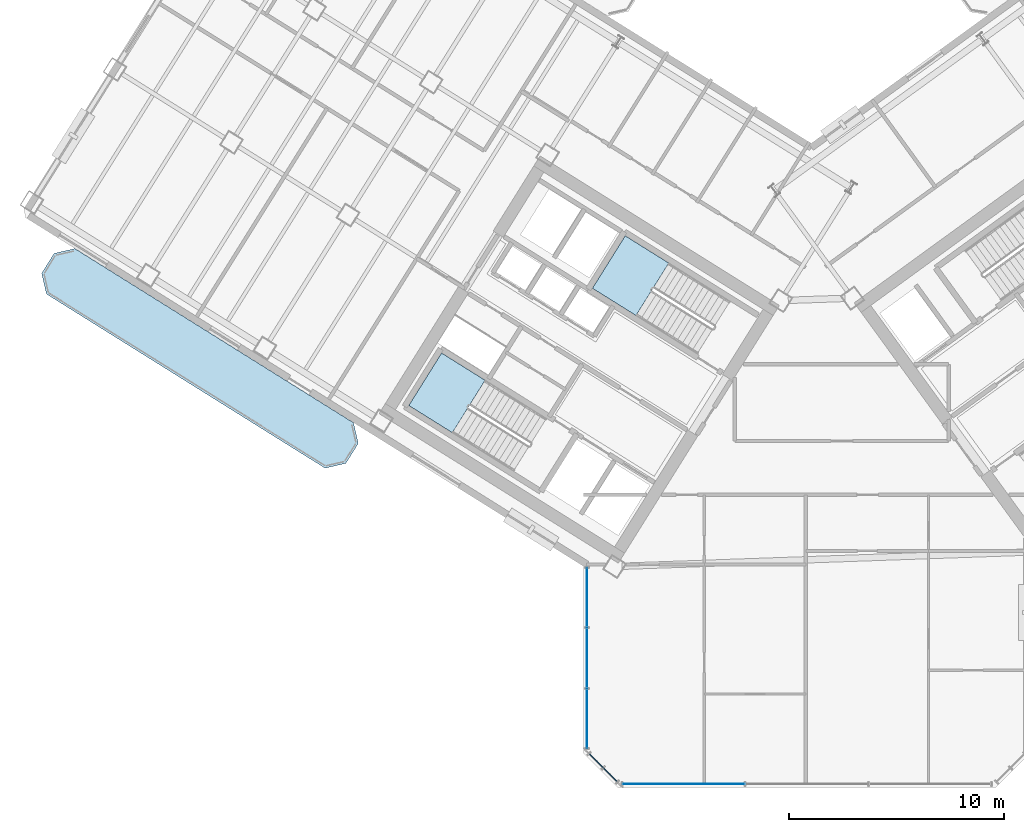
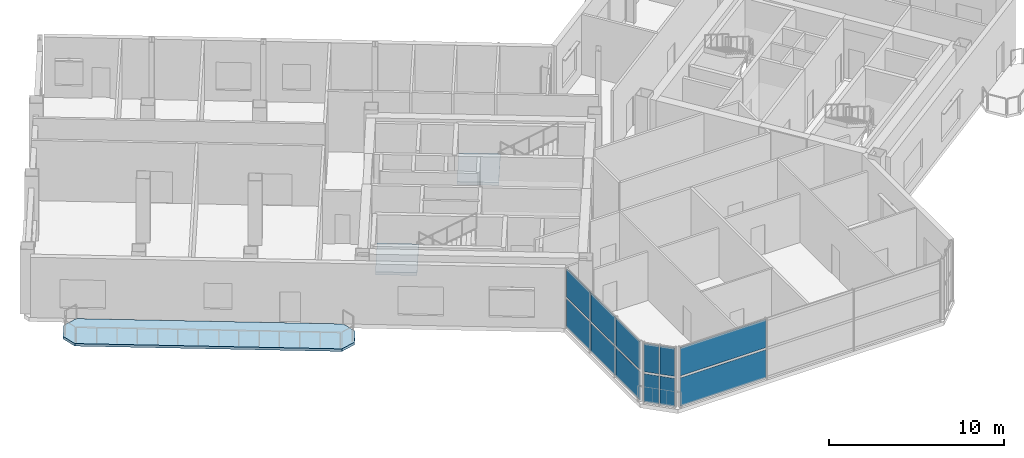
# One storey, part 8 of 20: 12 plates, 3 slabs, 5 elements without a shape of their own.
"""IFC4 building model written with IfcOpenShell, lengths in metres."""

from ifc_helpers import new_model, si_unit, direction, frame, origin, origin_2d, place, context, subcontext, project, spatial, polyline, rectangle, outline, extrude, source, transform, mapped, material, layer, layer_set, type_object, element, aggregate, save


model = new_model("IFC4")

# Units and contexts
model_context = context("Model", 3, precision=1e-05, world=origin(), true_north=direction((0.0, 1.0)))
body_context = subcontext(model_context, "Body", "Model", "MODEL_VIEW")
ifc_project = project(units=[si_unit("LENGTHUNIT", "METRE"), si_unit("AREAUNIT", "SQUARE_METRE"), si_unit("VOLUMEUNIT", "CUBIC_METRE"), si_unit("PLANEANGLEUNIT", "RADIAN"), si_unit("MASSUNIT", "GRAM", prefix="KILO")], contexts=[model_context])

# Site, building, storey
site_placement = place(None, origin())
site = spatial("IfcSite", under=ifc_project, at=site_placement, CompositionType="ELEMENT")
building_placement = place(site_placement, origin())
building = spatial("IfcBuilding", under=site, at=building_placement, Name="Tlacorven Tower", CompositionType="ELEMENT")
storey_placement = place(building_placement, frame((0.0, 0.0, 195.0)))
storey = spatial("IfcBuildingStorey", under=building, at=storey_placement, Name="L49", CompositionType="ELEMENT", Elevation=195.0)

# Slab
ifc_material_1 = material(Name="Precast concrete C45/55", Category="concrete")
ifc_layer_1 = layer(ifc_material_1, 0.179931640625)
ifc_layer_set_1 = layer_set([ifc_layer_1], Name="Precast concrete C45/55")
slab_type_1 = type_object("IfcSlabType", Name="SL-BAL-180", PredefinedType="USERDEFINED", material=ifc_layer_set_1)
slab_1_placement = place(storey_placement, frame((0.0, 0.0, -0.179931640625)))
element("IfcSlab", 1, at=slab_1_placement, inside=storey, type_object=slab_type_1, Name="L49 West Wing Balcony Ribbon OUT", ObjectType="BALCONY SLAB", PredefinedType="USERDEFINED", context=body_context, shape_type="SweptSolid", body=[
    extrude(outline(polyline([(20.88671875, 18.78271484375), (7.91162109375, 26.890625), (6.947021484375, 26.66796875), (6.366943359375, 25.7392578125), (6.589599609375, 24.774658203125), (19.564697265625, 16.6669921875), (20.529296875, 16.8896484375), (21.109375, 17.818115234375), (20.88671875, 18.78271484375)])), origin(), (0.0, 0.0, 1.0), 0.179931640625),
])

# Stair, slab
ifc_material_2 = material(Name="Concrete C40/50", Category="concrete")
stair_type = type_object("IfcStairType", Name="ST-CORE-DLG", PredefinedType="HALF_TURN_STAIR", material=ifc_material_2)
stair_1_placement = place(storey_placement, origin())
stair_1 = element("IfcStair", 2, at=stair_1_placement, inside=storey, type_object=stair_type, Name="L49 Protected Exit Stair West 1", PredefinedType="HALF_TURN_STAIR")
ifc_layer_2 = layer(ifc_material_2, 0.199951171875)
ifc_layer_set_2 = layer_set([ifc_layer_2], Name="Concrete C40/50")
slab_type_2 = type_object("IfcSlabType", Name="SL-LND-200", PredefinedType="LANDING", material=ifc_layer_set_2)
slab_2_placement = place(storey_placement, frame((0.0, 0.0, 2.050048828125)))
slab_2 = element("IfcSlab", 3, at=slab_2_placement, type_object=slab_type_2, Name="ST-W1 landing 1", PredefinedType="LANDING", context=body_context, shape_type="SweptSolid", body=[
    extrude(outline(polyline([(27.01611328125, 20.76025390625), (24.9892578125, 22.02685546875), (23.463134765625, 19.58447265625), (25.489990234375, 18.31787109375), (27.01611328125, 20.76025390625)])), origin(), (0.0, 0.0, 1.0), 0.199951171875),
])
aggregate(stair_1, [slab_2])

stair_2_placement = place(storey_placement, origin())
stair_2 = element("IfcStair", 4, at=stair_2_placement, inside=storey, type_object=stair_type, Name="L49 Protected Exit Stair West 2", PredefinedType="HALF_TURN_STAIR")
slab_3_placement = place(storey_placement, frame((0.0, 0.0, 2.050048828125)))
slab_3 = element("IfcSlab", 5, at=slab_3_placement, type_object=slab_type_2, Name="ST-W2 landing 1", PredefinedType="LANDING", context=body_context, shape_type="SweptSolid", body=[
    extrude(outline(polyline([(35.567626953125, 26.218017578125), (33.540771484375, 27.484375), (32.0146484375, 25.0419921875), (34.04150390625, 23.775634765625), (35.567626953125, 26.218017578125)])), origin(), (0.0, 0.0, 1.0), 0.199951171875),
])
aggregate(stair_2, [slab_3])

# Curtain wall, plates
ifc_material_3 = material(Name="Dark solar low-E double glazing in aluminium frame", Category="aluminium")
curtain_wall_type = type_object("IfcCurtainWallType", Name="CW-COM-AMENITY", PredefinedType="USERDEFINED", material=ifc_material_3)
curtain_wall_1_placement = place(storey_placement, origin())
curtain_wall_1 = element("IfcCurtainWall", 6, at=curtain_wall_1_placement, inside=storey, type_object=curtain_wall_type, Name="L49 CW-COM-AMENITY Curtain Wall 226", ObjectType="UNITISED CURTAIN WALL", PredefinedType="USERDEFINED")
ifc_material_4 = material(Name="Dark solar acoustic laminated low-E glazing", Category="glass")
ifc_layer_3 = layer(ifc_material_4, 0.035888671875)
ifc_layer_set_3 = layer_set([ifc_layer_3], Name="Dark solar acoustic laminated low-E glazing")
plate_type = type_object("IfcPlateType", Name="CWP-01", PredefinedType="CURTAIN_PANEL", material=ifc_layer_set_3)
shared_shape_1 = source(origin(), body_context, "Body", "SweptSolid", [
    extrude(rectangle(XDim=0.878173828125, YDim=0.035888671875, at=origin_2d()), origin(), (0.0, 0.0, 1.0), 1.968017578125),
])
plate_1_placement = place(storey_placement, frame((32.842041015625, 2.38427734375, 0.07080078125), z_axis=(0.0, 0.0, 1.0), x_axis=(-0.707106781187, 0.707106781187, 0.0)))
plate_1 = element("IfcPlate", 7, at=plate_1_placement, type_object=plate_type, Name="CW-L49-226 Glazing Panel 1", PredefinedType="CURTAIN_PANEL", context=body_context, shape_type="MappedRepresentation", body=[
    mapped(shared_shape_1, transform((0.0, 0.0, 0.0), scale=1.0)),
])
plate_2_placement = place(storey_placement, frame((32.842041015625, 2.38427734375, 2.18115234375), z_axis=(0.0, 0.0, 1.0), x_axis=(-0.707106781187, 0.707106781187, 0.0)))
plate_2 = element("IfcPlate", 8, at=plate_2_placement, type_object=plate_type, Name="CW-L49-226 Glazing Panel 2", PredefinedType="CURTAIN_PANEL", context=body_context, shape_type="MappedRepresentation", body=[
    mapped(shared_shape_1, transform((0.0, 0.0, 0.0), scale=1.0)),
])
plate_3_placement = place(storey_placement, frame((32.184326171875, 3.0419921875, 0.07080078125), z_axis=(0.0, 0.0, 1.0), x_axis=(-0.707106781187, 0.707106781187, 0.0)))
plate_3 = element("IfcPlate", 9, at=plate_3_placement, type_object=plate_type, Name="CW-L49-226 Glazing Panel 3", PredefinedType="CURTAIN_PANEL", context=body_context, shape_type="MappedRepresentation", body=[
    mapped(shared_shape_1, transform((0.0, 0.0, 0.0), scale=1.0)),
])
plate_4_placement = place(storey_placement, frame((32.184326171875, 3.0419921875, 2.18115234375), z_axis=(0.0, 0.0, 1.0), x_axis=(-0.707106781187, 0.707106781187, 0.0)))
plate_4 = element("IfcPlate", 10, at=plate_4_placement, type_object=plate_type, Name="CW-L49-226 Glazing Panel 4", PredefinedType="CURTAIN_PANEL", context=body_context, shape_type="MappedRepresentation", body=[
    mapped(shared_shape_1, transform((0.0, 0.0, 0.0), scale=1.0)),
])
aggregate(curtain_wall_1, [plate_1, plate_2, plate_3, plate_4])

curtain_wall_2_placement = place(storey_placement, origin())
curtain_wall_2 = element("IfcCurtainWall", 11, at=curtain_wall_2_placement, inside=storey, type_object=curtain_wall_type, Name="L49 CW-COM-AMENITY Curtain Wall 225", ObjectType="UNITISED CURTAIN WALL", PredefinedType="USERDEFINED")
shared_shape_2 = source(origin(), body_context, "Body", "SweptSolid", [
    extrude(rectangle(XDim=5.668701171875, YDim=0.035888671875, at=origin_2d()), origin(), (0.0, 0.0, 1.0), 1.968017578125),
])
plate_5_placement = place(storey_placement, frame((36.26171875, 1.9599609375, 0.07080078125), z_axis=(0.0, 0.0, 1.0), x_axis=(-1.0, 0.0, 0.0)))
plate_5 = element("IfcPlate", 12, at=plate_5_placement, type_object=plate_type, Name="CW-L49-225 Glazing Panel 5", PredefinedType="CURTAIN_PANEL", context=body_context, shape_type="MappedRepresentation", body=[
    mapped(shared_shape_2, transform((0.0, 0.0, 0.0), scale=1.0)),
])
plate_6_placement = place(storey_placement, frame((36.26171875, 1.9599609375, 2.18115234375), z_axis=(0.0, 0.0, 1.0), x_axis=(-1.0, 0.0, 0.0)))
plate_6 = element("IfcPlate", 13, at=plate_6_placement, type_object=plate_type, Name="CW-L49-225 Glazing Panel 6", PredefinedType="CURTAIN_PANEL", context=body_context, shape_type="MappedRepresentation", body=[
    mapped(shared_shape_2, transform((0.0, 0.0, 0.0), scale=1.0)),
])
aggregate(curtain_wall_2, [plate_5, plate_6])

curtain_wall_3_placement = place(storey_placement, origin())
curtain_wall_3 = element("IfcCurtainWall", 14, at=curtain_wall_3_placement, inside=storey, type_object=curtain_wall_type, Name="L49 CW-COM-AMENITY Curtain Wall 227", ObjectType="UNITISED CURTAIN WALL", PredefinedType="USERDEFINED")
shared_shape_3 = source(origin(), body_context, "Body", "SweptSolid", [
    extrude(rectangle(XDim=2.751953125, YDim=0.035888671875, at=origin_2d()), origin(), (0.0, 0.0, 1.0), 1.968017578125),
])
plate_7_placement = place(storey_placement, frame((31.760009765625, 5.003173828125, 0.07080078125), z_axis=(0.0, 0.0, 1.0), x_axis=(0.0, 1.0, 0.0)))
plate_7 = element("IfcPlate", 15, at=plate_7_placement, type_object=plate_type, Name="CW-L49-227 Glazing Panel 1", PredefinedType="CURTAIN_PANEL", context=body_context, shape_type="MappedRepresentation", body=[
    mapped(shared_shape_3, transform((0.0, 0.0, 0.0), scale=1.0)),
])
plate_8_placement = place(storey_placement, frame((31.760009765625, 5.003173828125, 2.18115234375), z_axis=(0.0, 0.0, 1.0), x_axis=(0.0, 1.0, 0.0)))
plate_8 = element("IfcPlate", 16, at=plate_8_placement, type_object=plate_type, Name="CW-L49-227 Glazing Panel 2", PredefinedType="CURTAIN_PANEL", context=body_context, shape_type="MappedRepresentation", body=[
    mapped(shared_shape_3, transform((0.0, 0.0, 0.0), scale=1.0)),
])
plate_9_placement = place(storey_placement, frame((31.760009765625, 10.64599609375, 0.07080078125), z_axis=(0.0, 0.0, 1.0), x_axis=(0.0, 1.0, 0.0)))
plate_9 = element("IfcPlate", 17, at=plate_9_placement, type_object=plate_type, Name="CW-L49-227 Glazing Panel 5", PredefinedType="CURTAIN_PANEL", context=body_context, shape_type="MappedRepresentation", body=[
    mapped(shared_shape_3, transform((0.0, 0.0, 0.0), scale=1.0)),
])
plate_10_placement = place(storey_placement, frame((31.760009765625, 10.64599609375, 2.18115234375), z_axis=(0.0, 0.0, 1.0), x_axis=(0.0, 1.0, 0.0)))
plate_10 = element("IfcPlate", 18, at=plate_10_placement, type_object=plate_type, Name="CW-L49-227 Glazing Panel 6", PredefinedType="CURTAIN_PANEL", context=body_context, shape_type="MappedRepresentation", body=[
    mapped(shared_shape_3, transform((0.0, 0.0, 0.0), scale=1.0)),
])
shared_shape_4 = source(origin(), body_context, "Body", "SweptSolid", [
    extrude(rectangle(XDim=2.786865234375, YDim=0.035888671875, at=origin_2d()), origin(), (0.0, 0.0, 1.0), 1.968017578125),
])
plate_11_placement = place(storey_placement, frame((31.760009765625, 7.82470703125, 0.07080078125), z_axis=(0.0, 0.0, 1.0), x_axis=(0.0, 1.0, 0.0)))
plate_11 = element("IfcPlate", 19, at=plate_11_placement, type_object=plate_type, Name="CW-L49-227 Glazing Panel 3", PredefinedType="CURTAIN_PANEL", context=body_context, shape_type="MappedRepresentation", body=[
    mapped(shared_shape_4, transform((0.0, 0.0, 0.0), scale=1.0)),
])
plate_12_placement = place(storey_placement, frame((31.760009765625, 7.82470703125, 2.18115234375), z_axis=(0.0, 0.0, 1.0), x_axis=(0.0, 1.0, 0.0)))
plate_12 = element("IfcPlate", 20, at=plate_12_placement, type_object=plate_type, Name="CW-L49-227 Glazing Panel 4", PredefinedType="CURTAIN_PANEL", context=body_context, shape_type="MappedRepresentation", body=[
    mapped(shared_shape_4, transform((0.0, 0.0, 0.0), scale=1.0)),
])
aggregate(curtain_wall_3, [plate_7, plate_8, plate_11, plate_12, plate_9, plate_10])

save(model, "model.ifc")
